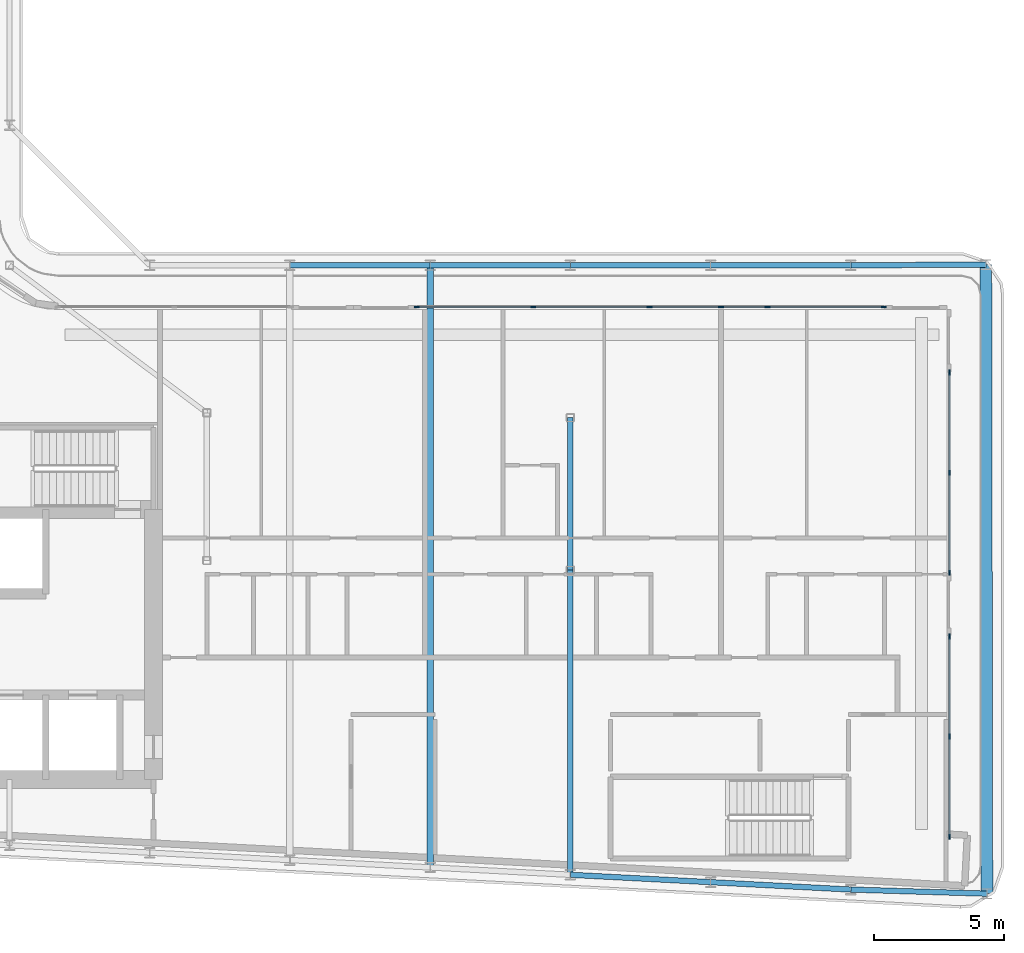
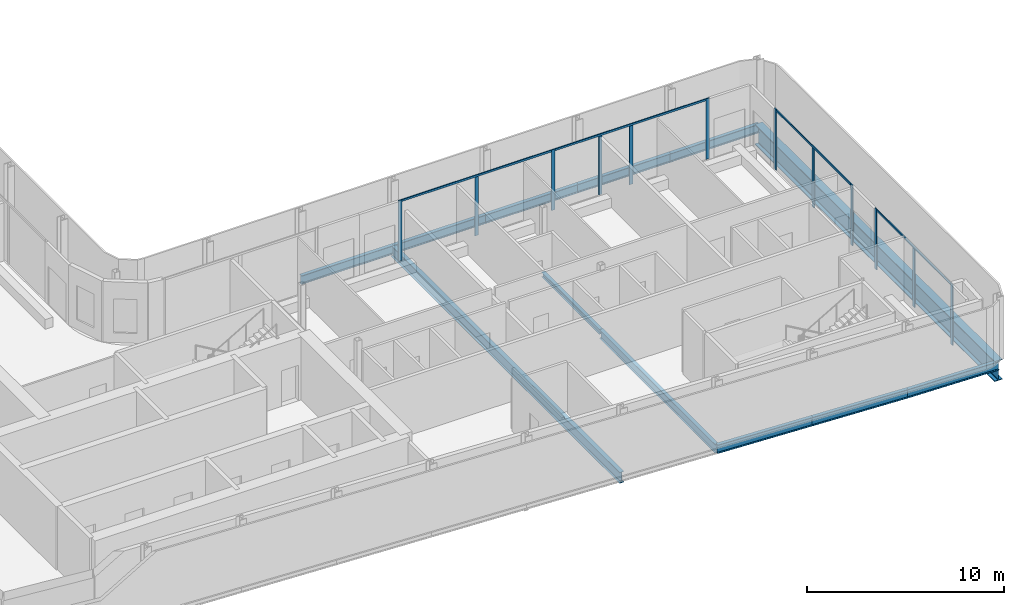
# One storey, part 5 of 22: 16 members, 12 beams, 4 elements without a shape of their own.
"""IFC4 building model written with IfcOpenShell, lengths in metres."""

from ifc_helpers import new_model, si_unit, direction, frame, origin, origin_2d, place, context, subcontext, project, spatial, rectangle, i_section, extrude, material, layer, layer_set, material_profile, profile_set, type_object, element, aggregate, save


model = new_model("IFC4")

# Units and contexts
model_context = context("Model", 3, precision=1e-05, world=origin(), true_north=direction((0.0, 1.0)))
body_context = subcontext(model_context, "Body", "Model", "MODEL_VIEW")
ifc_project = project(units=[si_unit("LENGTHUNIT", "METRE"), si_unit("AREAUNIT", "SQUARE_METRE"), si_unit("VOLUMEUNIT", "CUBIC_METRE"), si_unit("PLANEANGLEUNIT", "RADIAN"), si_unit("MASSUNIT", "GRAM", prefix="KILO")], contexts=[model_context])

# Site, building, storey
site_placement = place(None, origin())
site = spatial("IfcSite", under=ifc_project, at=site_placement, CompositionType="ELEMENT")
building_placement = place(site_placement, origin())
building = spatial("IfcBuilding", under=site, at=building_placement, Name="Kheshtan School and Residences Tower", CompositionType="ELEMENT")
storey_placement = place(building_placement, frame((0.0, 0.0, 255.199951171875)))
storey = spatial("IfcBuildingStorey", under=building, at=storey_placement, Name="L60", CompositionType="ELEMENT", Elevation=255.199951171875)

# Beams
ifc_material_1 = material(Name="Steel ASTM A992 Grade 50", Category="steel")
ifc_material_profile_1 = material_profile(ifc_material_1, i_section(OverallWidth=0.202880859375, OverallDepth=0.302978515625, WebThickness=0.007568359375, FlangeThickness=0.01318359375, FilletRadius=0.009033203125, at=origin_2d()), Name="W310x60")
ifc_profile_set_1 = profile_set([ifc_material_profile_1], Name="Steel ASTM A992 Grade 50")
beam_type_1 = type_object("IfcBeamType", Name="Beam FB1 W310x60 ASTM A992 Grade 50", PredefinedType="BEAM", material=ifc_profile_set_1)
beam_1_placement = place(storey_placement, frame((69.199951171875, 33.863037109375, -0.301513671875), z_axis=(0.0, 1.0, 0.0), x_axis=(-1.0, 0.0, 0.0)))
element("IfcBeam", 1, at=beam_1_placement, inside=storey, type_object=beam_type_1, Name="Floor beam IC", PredefinedType="BEAM", context=body_context, shape_type="SweptSolid", body=[
    extrude(i_section(OverallWidth=0.202880859375, OverallDepth=0.302978515625, WebThickness=0.007568359375, FlangeThickness=0.01318359375, FilletRadius=0.009033203125, at=origin_2d()), origin(), (0.0, 0.0, 1.0), 5.868896484375),
])
ifc_material_profile_2 = material_profile(ifc_material_1, i_section(OverallWidth=0.208984375, OverallDepth=0.532958984375, WebThickness=0.01025390625, FlangeThickness=0.015625, FilletRadius=0.013916015625, at=origin_2d()), Name="W530x92")
ifc_profile_set_2 = profile_set([ifc_material_profile_2], Name="Steel ASTM A992 Grade 50")
beam_type_2 = type_object("IfcBeamType", Name="Beam FB4 W530x92 ASTM A992 Grade 50", PredefinedType="BEAM", material=ifc_profile_set_2)
beam_2_placement = place(storey_placement, frame((69.199951171875, 22.126953125, -0.41650390625), z_axis=(0.0, 1.0, 0.0), x_axis=(-1.0, 0.0, 0.0)))
element("IfcBeam", 2, at=beam_2_placement, inside=storey, type_object=beam_type_2, Name="Floor beam C014", PredefinedType="BEAM", context=body_context, shape_type="SweptSolid", body=[
    extrude(i_section(OverallWidth=0.208984375, OverallDepth=0.532958984375, WebThickness=0.01025390625, FlangeThickness=0.015625, FilletRadius=0.013916015625, at=origin_2d()), origin(), (0.0, 0.0, 1.0), 11.736083984375),
])
ifc_material_profile_3 = material_profile(ifc_material_1, i_section(OverallWidth=0.2529296875, OverallDepth=0.677978515625, WebThickness=0.01171875, FlangeThickness=0.016357421875, FilletRadius=0.0146484375, at=origin_2d()), Name="W690x125")
ifc_profile_set_3 = profile_set([ifc_material_profile_3], Name="Steel ASTM A992 Grade 50")
beam_type_3 = type_object("IfcBeamType", Name="Beam FB6 W690x125 ASTM A992 Grade 50", PredefinedType="BEAM", material=ifc_profile_set_3)
beam_3_placement = place(storey_placement, frame((63.800048828125, 45.60009765625, -0.489013671875), z_axis=(0.0, -1.0, 0.0), x_axis=(1.0, 0.0, 0.0)))
element("IfcBeam", 3, at=beam_3_placement, inside=storey, type_object=beam_type_3, Name="Floor beam C063", PredefinedType="BEAM", context=body_context, shape_type="SweptSolid", body=[
    extrude(i_section(OverallWidth=0.2529296875, OverallDepth=0.677978515625, WebThickness=0.01171875, FlangeThickness=0.016357421875, FilletRadius=0.0146484375, at=origin_2d()), origin(), (0.0, 0.0, 1.0), 23.189208984375),
])
ifc_material_profile_4 = material_profile(ifc_material_1, i_section(OverallWidth=0.208984375, OverallDepth=0.532958984375, WebThickness=0.01025390625, FlangeThickness=0.015625, FilletRadius=0.013916015625, at=origin_2d()), Name="W530x92")
ifc_profile_set_4 = profile_set([ifc_material_profile_4], Name="Steel ASTM A992 Grade 50")
beam_type_4 = type_object("IfcBeamType", Name="Beam SP3 W530x92 ASTM A992 Grade 50", PredefinedType="BEAM", material=ifc_profile_set_4)
beam_4_placement = place(storey_placement, frame((58.39990234375, 45.60009765625, -0.41650390625), z_axis=(1.0, 0.0, 0.0), x_axis=(0.0, 1.0, 0.0)))
element("IfcBeam", 4, at=beam_4_placement, inside=storey, type_object=beam_type_4, Name="Spandrel beam C062-C063", PredefinedType="BEAM", context=body_context, shape_type="SweptSolid", body=[
    extrude(i_section(OverallWidth=0.208984375, OverallDepth=0.532958984375, WebThickness=0.01025390625, FlangeThickness=0.015625, FilletRadius=0.013916015625, at=origin_2d()), origin(), (0.0, 0.0, 1.0), 5.400146484375),
])
beam_5_placement = place(storey_placement, frame((63.800048828125, 45.60009765625, -0.41650390625), z_axis=(1.0, 0.0, 0.0), x_axis=(0.0, 1.0, 0.0)))
element("IfcBeam", 5, at=beam_5_placement, inside=storey, type_object=beam_type_4, Name="Spandrel beam C063-C064", PredefinedType="BEAM", context=body_context, shape_type="SweptSolid", body=[
    extrude(i_section(OverallWidth=0.208984375, OverallDepth=0.532958984375, WebThickness=0.01025390625, FlangeThickness=0.015625, FilletRadius=0.013916015625, at=origin_2d()), origin(), (0.0, 0.0, 1.0), 5.39990234375),
])
beam_6_placement = place(storey_placement, frame((69.199951171875, 45.60009765625, -0.41650390625), z_axis=(1.0, 0.0, 0.0), x_axis=(0.0, 1.0, 0.0)))
element("IfcBeam", 6, at=beam_6_placement, inside=storey, type_object=beam_type_4, Name="Spandrel beam C064-C065", PredefinedType="BEAM", context=body_context, shape_type="SweptSolid", body=[
    extrude(i_section(OverallWidth=0.208984375, OverallDepth=0.532958984375, WebThickness=0.01025390625, FlangeThickness=0.015625, FilletRadius=0.013916015625, at=origin_2d()), origin(), (0.0, 0.0, 1.0), 5.400146484375),
])
beam_7_placement = place(storey_placement, frame((74.60009765625, 45.60009765625, -0.41650390625), z_axis=(1.0, 0.0, 0.0), x_axis=(0.0, 1.0, 0.0)))
element("IfcBeam", 7, at=beam_7_placement, inside=storey, type_object=beam_type_4, Name="Spandrel beam C065-C066", PredefinedType="BEAM", context=body_context, shape_type="SweptSolid", body=[
    extrude(i_section(OverallWidth=0.208984375, OverallDepth=0.532958984375, WebThickness=0.01025390625, FlangeThickness=0.015625, FilletRadius=0.013916015625, at=origin_2d()), origin(), (0.0, 0.0, 1.0), 5.39990234375),
])
beam_8_placement = place(storey_placement, frame((80.0, 45.60009765625, -0.41650390625), z_axis=(0.999985687161, 0.005350277765, 0.0), x_axis=(-0.005350277765, 0.999985687161, 0.0)))
element("IfcBeam", 8, at=beam_8_placement, inside=storey, type_object=beam_type_4, Name="Spandrel beam C066-C076", PredefinedType="BEAM", context=body_context, shape_type="SweptSolid", body=[
    extrude(i_section(OverallWidth=0.208984375, OverallDepth=0.532958984375, WebThickness=0.01025390625, FlangeThickness=0.015625, FilletRadius=0.013916015625, at=origin_2d()), origin(), (0.0, 0.0, 1.0), 5.201904296875),
])
beam_9_placement = place(storey_placement, frame((85.243896484375, 21.39990234375, -0.41650390625), z_axis=(-0.999545226068, 0.030155282206, 0.0), x_axis=(-0.030155282206, -0.999545226068, 0.0)))
element("IfcBeam", 9, at=beam_9_placement, inside=storey, type_object=beam_type_4, Name="Spandrel beam C011-C012", PredefinedType="BEAM", context=body_context, shape_type="SweptSolid", body=[
    extrude(i_section(OverallWidth=0.208984375, OverallDepth=0.532958984375, WebThickness=0.01025390625, FlangeThickness=0.015625, FilletRadius=0.013916015625, at=origin_2d()), origin(), (0.0, 0.0, 1.0), 5.246337890625),
])
beam_10_placement = place(storey_placement, frame((80.0, 21.55810546875, -0.41650390625), z_axis=(-0.998610961136, 0.052689166816, 0.0), x_axis=(-0.052689166816, -0.998610961136, 0.0)))
element("IfcBeam", 10, at=beam_10_placement, inside=storey, type_object=beam_type_4, Name="Spandrel beam C012-C013", PredefinedType="BEAM", context=body_context, shape_type="SweptSolid", body=[
    extrude(i_section(OverallWidth=0.208984375, OverallDepth=0.532958984375, WebThickness=0.01025390625, FlangeThickness=0.015625, FilletRadius=0.013916015625, at=origin_2d()), origin(), (0.0, 0.0, 1.0), 5.407470703125),
])
beam_11_placement = place(storey_placement, frame((74.60009765625, 21.843017578125, -0.41650390625), z_axis=(-0.998620571751, 0.05250670125, 0.0), x_axis=(-0.05250670125, -0.998620571751, 0.0)))
element("IfcBeam", 11, at=beam_11_placement, inside=storey, type_object=beam_type_4, Name="Spandrel beam C013-C014", PredefinedType="BEAM", context=body_context, shape_type="SweptSolid", body=[
    extrude(i_section(OverallWidth=0.208984375, OverallDepth=0.532958984375, WebThickness=0.01025390625, FlangeThickness=0.015625, FilletRadius=0.013916015625, at=origin_2d()), origin(), (0.0, 0.0, 1.0), 5.40771484375),
])

# Curtain wall, members
ifc_material_2 = material(Name="Clear low-e glass in thermally broken aluminium frame", Category="aluminium")
ifc_layer = layer(ifc_material_2, 0.199951171875)
ifc_layer_set = layer_set([ifc_layer], Name="Curtain wall CW-L")
curtain_wall_type = type_object("IfcCurtainWallType", Name="Curtain wall CW-L", PredefinedType="NOTDEFINED", material=ifc_layer_set)
curtain_wall_1_placement = place(storey_placement, origin())
curtain_wall_1 = element("IfcCurtainWall", 12, at=curtain_wall_1_placement, inside=storey, type_object=curtain_wall_type, Name="Curtain wall CWL1231", PredefinedType="NOTDEFINED")
ifc_material_3 = material(Name="Thermally broken aluminium, dark bronze anodised", Category="aluminium")
ifc_material_profile_5 = material_profile(ifc_material_3, rectangle(XDim=0.06005859375, YDim=0.199951171875, at=origin_2d()), Name="CW-L mullion 60x200")
ifc_profile_set_5 = profile_set([ifc_material_profile_5], Name="Thermally broken aluminium, dark bronze anodised")
member_type_1 = type_object("IfcMemberType", Name="CW-L mullion 60x200", PredefinedType="MULLION", material=ifc_profile_set_5)
member_1_placement = place(storey_placement, frame((63.283447265625, 44.0, 0.0), z_axis=(0.0, 0.0, 1.0), x_axis=(0.0, 1.0, 0.0)))
member_1 = element("IfcMember", 13, at=member_1_placement, type_object=member_type_1, Name="CWL1231 mullion 1", PredefinedType="MULLION", context=body_context, shape_type="SweptSolid", body=[
    extrude(rectangle(XDim=0.06005859375, YDim=0.199951171875, at=origin_2d()), origin(), (0.0, 0.0, 1.0), 3.75),
])
member_2_placement = place(storey_placement, frame((67.764892578125, 44.0, 0.0), z_axis=(0.0, 0.0, 1.0), x_axis=(0.0, 1.0, 0.0)))
member_2 = element("IfcMember", 14, at=member_2_placement, type_object=member_type_1, Name="CWL1231 mullion 2", PredefinedType="MULLION", context=body_context, shape_type="SweptSolid", body=[
    extrude(rectangle(XDim=0.06005859375, YDim=0.199951171875, at=origin_2d()), origin(), (0.0, 0.0, 1.0), 3.630126953125),
])
member_3_placement = place(storey_placement, frame((72.24658203125, 44.0, 0.0), z_axis=(0.0, 0.0, 1.0), x_axis=(0.0, 1.0, 0.0)))
member_3 = element("IfcMember", 15, at=member_3_placement, type_object=member_type_1, Name="CWL1231 mullion 3", PredefinedType="MULLION", context=body_context, shape_type="SweptSolid", body=[
    extrude(rectangle(XDim=0.06005859375, YDim=0.199951171875, at=origin_2d()), origin(), (0.0, 0.0, 1.0), 3.75),
])

curtain_wall_2_placement = place(storey_placement, origin())
curtain_wall_2 = element("IfcCurtainWall", 16, at=curtain_wall_2_placement, inside=storey, type_object=curtain_wall_type, Name="Curtain wall CWL1228", PredefinedType="NOTDEFINED")
member_4_placement = place(storey_placement, frame((75.0, 44.0, 0.0), z_axis=(0.0, 0.0, 1.0), x_axis=(0.0, 1.0, 0.0)))
member_4 = element("IfcMember", 17, at=member_4_placement, type_object=member_type_1, Name="CWL1228 mullion 2", PredefinedType="MULLION", context=body_context, shape_type="SweptSolid", body=[
    extrude(rectangle(XDim=0.06005859375, YDim=0.199951171875, at=origin_2d()), origin(), (0.0, 0.0, 1.0), 3.630126953125),
])
member_5_placement = place(storey_placement, frame((76.788330078125, 44.0, 0.0), z_axis=(0.0, 0.0, 1.0), x_axis=(0.0, 1.0, 0.0)))
member_5 = element("IfcMember", 18, at=member_5_placement, type_object=member_type_1, Name="CWL1228 mullion 3", PredefinedType="MULLION", context=body_context, shape_type="SweptSolid", body=[
    extrude(rectangle(XDim=0.06005859375, YDim=0.199951171875, at=origin_2d()), origin(), (0.0, 0.0, 1.0), 3.630126953125),
])
member_6_placement = place(storey_placement, frame((81.27001953125, 44.0, 0.0), z_axis=(0.0, 0.0, 1.0), x_axis=(0.0, 1.0, 0.0)))
member_6 = element("IfcMember", 19, at=member_6_placement, type_object=member_type_1, Name="CWL1228 mullion 4", PredefinedType="MULLION", context=body_context, shape_type="SweptSolid", body=[
    extrude(rectangle(XDim=0.06005859375, YDim=0.199951171875, at=origin_2d()), origin(), (0.0, 0.0, 1.0), 3.75),
])

curtain_wall_3_placement = place(storey_placement, origin())
curtain_wall_3 = element("IfcCurtainWall", 20, at=curtain_wall_3_placement, inside=storey, type_object=curtain_wall_type, Name="Curtain wall CWL13c", PredefinedType="NOTDEFINED")
member_7_placement = place(storey_placement, frame((83.800048828125, 41.469970703125, 0.0), z_axis=(0.0, 0.0, 1.0), x_axis=(1.0, 0.0, 0.0)))
member_7 = element("IfcMember", 21, at=member_7_placement, type_object=member_type_1, Name="CWL13c mullion 1", PredefinedType="MULLION", context=body_context, shape_type="SweptSolid", body=[
    extrude(rectangle(XDim=0.06005859375, YDim=0.199951171875, at=origin_2d()), origin(), (0.0, 0.0, 1.0), 3.75),
])
member_8_placement = place(storey_placement, frame((83.800048828125, 37.61669921875, 0.0), z_axis=(0.0, 0.0, 1.0), x_axis=(1.0, 0.0, 0.0)))
member_8 = element("IfcMember", 22, at=member_8_placement, type_object=member_type_1, Name="CWL13c mullion 2", PredefinedType="MULLION", context=body_context, shape_type="SweptSolid", body=[
    extrude(rectangle(XDim=0.06005859375, YDim=0.199951171875, at=origin_2d()), origin(), (0.0, 0.0, 1.0), 3.630126953125),
])
member_9_placement = place(storey_placement, frame((83.800048828125, 33.763427734375, 0.0), z_axis=(0.0, 0.0, 1.0), x_axis=(1.0, 0.0, 0.0)))
member_9 = element("IfcMember", 23, at=member_9_placement, type_object=member_type_1, Name="CWL13c mullion 3", PredefinedType="MULLION", context=body_context, shape_type="SweptSolid", body=[
    extrude(rectangle(XDim=0.06005859375, YDim=0.199951171875, at=origin_2d()), origin(), (0.0, 0.0, 1.0), 3.75),
])

curtain_wall_4_placement = place(storey_placement, origin())
curtain_wall_4 = element("IfcCurtainWall", 24, at=curtain_wall_4_placement, inside=storey, type_object=curtain_wall_type, Name="Curtain wall CWL13c", PredefinedType="NOTDEFINED")
member_10_placement = place(storey_placement, frame((83.800048828125, 31.303466796875, 0.0), z_axis=(0.0, 0.0, 1.0), x_axis=(1.0, 0.0, 0.0)))
member_10 = element("IfcMember", 25, at=member_10_placement, type_object=member_type_1, Name="CWL13c mullion 1", PredefinedType="MULLION", context=body_context, shape_type="SweptSolid", body=[
    extrude(rectangle(XDim=0.06005859375, YDim=0.199951171875, at=origin_2d()), origin(), (0.0, 0.0, 1.0), 3.75),
])
member_11_placement = place(storey_placement, frame((83.800048828125, 27.4501953125, 0.0), z_axis=(0.0, 0.0, 1.0), x_axis=(1.0, 0.0, 0.0)))
member_11 = element("IfcMember", 26, at=member_11_placement, type_object=member_type_1, Name="CWL13c mullion 2", PredefinedType="MULLION", context=body_context, shape_type="SweptSolid", body=[
    extrude(rectangle(XDim=0.06005859375, YDim=0.199951171875, at=origin_2d()), origin(), (0.0, 0.0, 1.0), 3.630126953125),
])
member_12_placement = place(storey_placement, frame((83.800048828125, 23.596923828125, 0.0), z_axis=(0.0, 0.0, 1.0), x_axis=(1.0, 0.0, 0.0)))
member_12 = element("IfcMember", 27, at=member_12_placement, type_object=member_type_1, Name="CWL13c mullion 3", PredefinedType="MULLION", context=body_context, shape_type="SweptSolid", body=[
    extrude(rectangle(XDim=0.06005859375, YDim=0.199951171875, at=origin_2d()), origin(), (0.0, 0.0, 1.0), 3.75),
])

# Member
ifc_material_profile_6 = material_profile(ifc_material_3, rectangle(XDim=0.06005859375, YDim=0.1201171875, at=origin_2d()), Name="CW-L transom 60x120")
ifc_profile_set_6 = profile_set([ifc_material_profile_6], Name="Thermally broken aluminium, dark bronze anodised")
member_type_2 = type_object("IfcMemberType", Name="CW-L transom 60x120", PredefinedType="USERDEFINED", material=ifc_profile_set_6)
member_13_placement = place(storey_placement, frame((63.313232421875, 44.0, 3.68994140625), z_axis=(1.0, 0.0, 0.0), x_axis=(0.0, 1.0, 0.0)))
member_13 = element("IfcMember", 28, at=member_13_placement, type_object=member_type_2, Name="CWL1231 transom 1", ObjectType="TRANSOM", PredefinedType="USERDEFINED", context=body_context, shape_type="SweptSolid", body=[
    extrude(rectangle(XDim=0.06005859375, YDim=0.1201171875, at=origin_2d()), origin(), (0.0, 0.0, 1.0), 8.9033203125),
])

aggregate(curtain_wall_1, [member_1, member_2, member_3, member_13])

member_14_placement = place(storey_placement, frame((72.276611328125, 44.0, 3.68994140625), z_axis=(1.0, 0.0, 0.0), x_axis=(0.0, 1.0, 0.0)))
member_14 = element("IfcMember", 29, at=member_14_placement, type_object=member_type_2, Name="CWL1228 transom 1", ObjectType="TRANSOM", PredefinedType="USERDEFINED", context=body_context, shape_type="SweptSolid", body=[
    extrude(rectangle(XDim=0.06005859375, YDim=0.1201171875, at=origin_2d()), origin(), (0.0, 0.0, 1.0), 8.96337890625),
])

aggregate(curtain_wall_2, [member_4, member_5, member_6, member_14])

member_15_placement = place(storey_placement, frame((83.800048828125, 41.43994140625, 3.68994140625), z_axis=(0.0, -1.0, 0.0), x_axis=(1.0, 0.0, 0.0)))
member_15 = element("IfcMember", 30, at=member_15_placement, type_object=member_type_2, Name="CWL13c transom 1", ObjectType="TRANSOM", PredefinedType="USERDEFINED", context=body_context, shape_type="SweptSolid", body=[
    extrude(rectangle(XDim=0.06005859375, YDim=0.1201171875, at=origin_2d()), origin(), (0.0, 0.0, 1.0), 7.646484375),
])

aggregate(curtain_wall_3, [member_7, member_8, member_9, member_15])

member_16_placement = place(storey_placement, frame((83.800048828125, 31.2734375, 3.68994140625), z_axis=(0.0, -1.0, 0.0), x_axis=(1.0, 0.0, 0.0)))
member_16 = element("IfcMember", 31, at=member_16_placement, type_object=member_type_2, Name="CWL13c transom 1", ObjectType="TRANSOM", PredefinedType="USERDEFINED", context=body_context, shape_type="SweptSolid", body=[
    extrude(rectangle(XDim=0.06005859375, YDim=0.1201171875, at=origin_2d()), origin(), (0.0, 0.0, 1.0), 7.646484375),
])

aggregate(curtain_wall_4, [member_10, member_11, member_12, member_16])

# Beam
ifc_material_profile_7 = material_profile(ifc_material_1, i_section(OverallWidth=0.449951171875, OverallDepth=1.25, WebThickness=0.02490234375, FlangeThickness=0.044921875, FilletRadius=0.03759765625, at=origin_2d()), Name="WWF1250x546")
ifc_profile_set_7 = profile_set([ifc_material_profile_7], Name="Steel ASTM A992 Grade 50")
beam_type_5 = type_object("IfcBeamType", Name="Transfer girder TG4 WWF1250x546 ASTM A992 Grade 50", PredefinedType="BEAM", material=ifc_profile_set_7)
beam_12_placement = place(storey_placement, frame((85.201904296875, 45.6279296875, -0.77490234375), z_axis=(0.001733204434, -0.999998498, 0.0), x_axis=(0.999998498, 0.001733204434, 0.0)))
element("IfcBeam", 32, at=beam_12_placement, inside=storey, type_object=beam_type_5, Name="Transfer girder C076-C011", PredefinedType="BEAM", context=body_context, shape_type="SweptSolid", body=[
    extrude(i_section(OverallWidth=0.449951171875, OverallDepth=1.25, WebThickness=0.02490234375, FlangeThickness=0.044921875, FilletRadius=0.03759765625, at=origin_2d()), origin(), (0.0, 0.0, 1.0), 24.22802734375),
])

save(model, "model.ifc")
